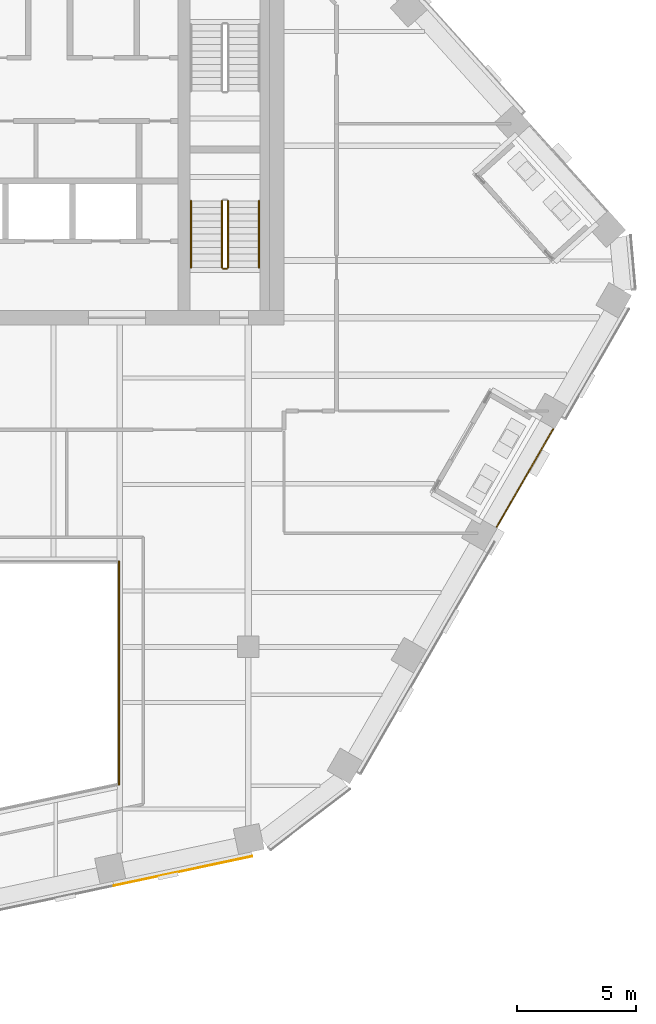
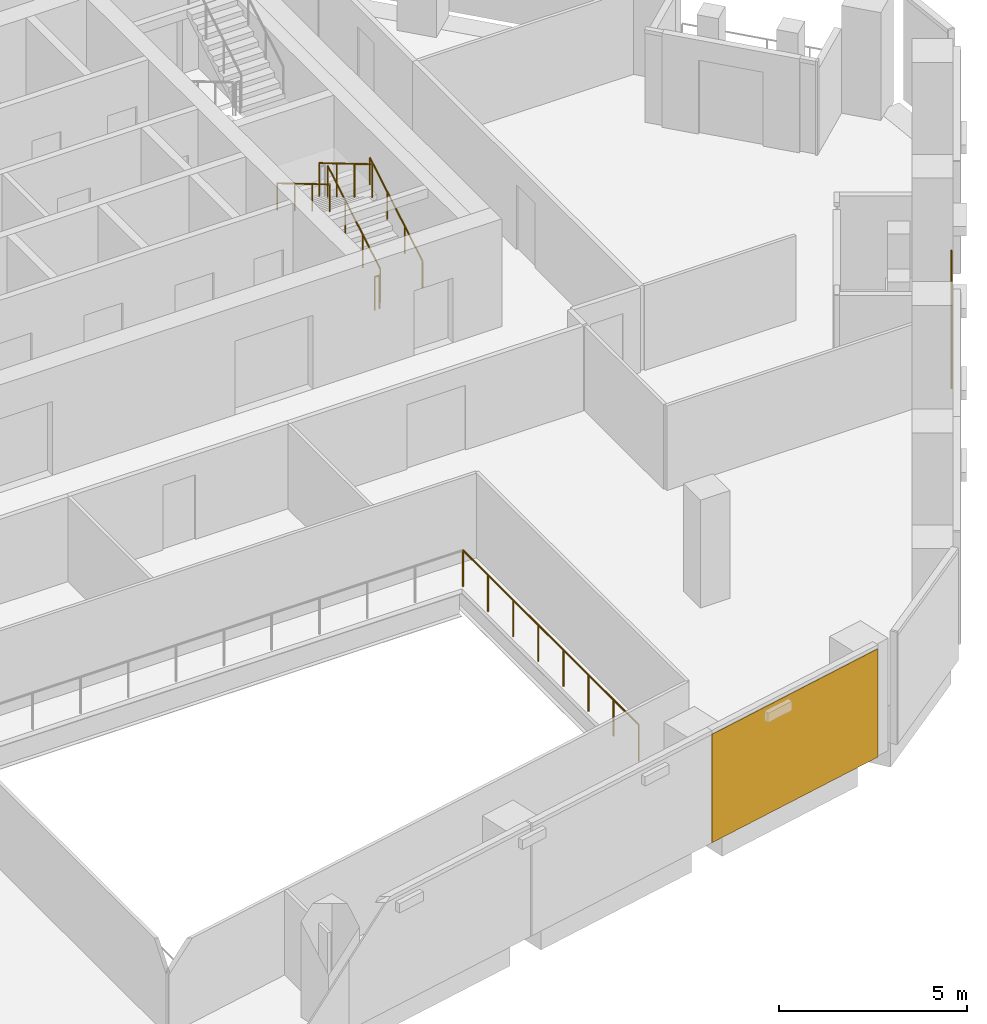
# One storey, part 22 of 25: 7 railings, 1 covering, 1 element without a shape of its own.
"""IFC4 building model written with IfcOpenShell, lengths in metres."""

from ifc_helpers import new_model, si_unit, direction, frame, origin, origin_2d, place, context, subcontext, project, spatial, rectangle, circle, extrude, material, layer, layer_set, type_object, element, aggregate, save


model = new_model("IFC4")

# Units and contexts
model_context = context("Model", 3, precision=1e-05, world=origin(), true_north=direction((0.0, 1.0)))
body_context = subcontext(model_context, "Body", "Model", "MODEL_VIEW")
ifc_project = project(units=[si_unit("LENGTHUNIT", "METRE"), si_unit("AREAUNIT", "SQUARE_METRE"), si_unit("VOLUMEUNIT", "CUBIC_METRE"), si_unit("PLANEANGLEUNIT", "RADIAN"), si_unit("MASSUNIT", "GRAM", prefix="KILO")], contexts=[model_context])

# Site, building, storey
site_placement = place(None, origin())
site = spatial("IfcSite", under=ifc_project, at=site_placement, CompositionType="ELEMENT")
building_placement = place(site_placement, origin())
building = spatial("IfcBuilding", under=site, at=building_placement, Name="Isthmus Gate Tower", CompositionType="ELEMENT")
storey_placement = place(building_placement, frame((0.0, 0.0, 249.14990234375)))
storey = spatial("IfcBuildingStorey", under=building, at=storey_placement, Name="L63", CompositionType="ELEMENT", Elevation=249.14990234375)

# Railing
ifc_material_1 = material(Name="Laminated toughened glass balustrade with steel rail", Category="steel")
railing_type_1 = type_object("IfcRailingType", Name="ATRIUM GUARD GLASS BALUSTRADE 1200", PredefinedType="GUARDRAIL", material=ifc_material_1)
railing_1_placement = place(storey_placement, frame((8.080078125, -9.919921875, 0.0)))
element("IfcRailing", 1, at=railing_1_placement, inside=storey, type_object=railing_type_1, Name="L63 atrium guard", PredefinedType="GUARDRAIL", context=body_context, shape_type="SweptSolid", body=[
    extrude(circle(Radius=0.02490234375, at=origin_2d()), frame((0.0, 0.0, 1.1748046875), z_axis=(0.0, -1.0, 0.0), x_axis=(1.0, 0.0, 0.0)), (0.0, 0.0, 1.0), 9.35498046875),
    extrude(circle(Radius=0.02490234375, at=origin_2d()), origin(), (0.0, 0.0, 1.0), 1.14990234375),
    extrude(circle(Radius=0.02490234375, at=origin_2d()), frame((0.0, -1.33642578125, 0.0)), (0.0, 0.0, 1.0), 1.14990234375),
    extrude(circle(Radius=0.02490234375, at=origin_2d()), frame((0.0, -2.6728515625, 0.0)), (0.0, 0.0, 1.0), 1.14990234375),
    extrude(circle(Radius=0.02490234375, at=origin_2d()), frame((0.0, -4.00927734375, 0.0)), (0.0, 0.0, 1.0), 1.14990234375),
    extrude(circle(Radius=0.02490234375, at=origin_2d()), frame((0.0, -5.345703125, 0.0)), (0.0, 0.0, 1.0), 1.14990234375),
    extrude(circle(Radius=0.02490234375, at=origin_2d()), frame((0.0, -6.68212890625, 0.0)), (0.0, 0.0, 1.0), 1.14990234375),
    extrude(circle(Radius=0.02490234375, at=origin_2d()), frame((0.0, -8.0185546875, 0.0)), (0.0, 0.0, 1.0), 1.14990234375),
    extrude(circle(Radius=0.02490234375, at=origin_2d()), frame((0.0, -9.35498046875, 0.0)), (0.0, 0.0, 1.0), 1.14990234375),
])

# Curtain wall, covering
ifc_material_2 = material(Name="Aluminium, pale champagne anodised", Category="aluminium")
ifc_layer_1 = layer(ifc_material_2, 0.199951171875)
ifc_layer_set_1 = layer_set([ifc_layer_1], Name="CW-1 UNITISED CURTAIN WALL 200 DEEP")
curtain_wall_type = type_object("IfcCurtainWallType", Name="CW-1 UNITISED CURTAIN WALL 200 DEEP", PredefinedType="NOTDEFINED", material=ifc_layer_set_1)
curtain_wall_placement = place(storey_placement, origin())
curtain_wall = element("IfcCurtainWall", 2, at=curtain_wall_placement, inside=storey, type_object=curtain_wall_type, Name="CW-1 S L63", PredefinedType="NOTDEFINED")
ifc_material_3 = material(Name="Aluminium composite panel, pale champagne anodised", Category="aluminium")
ifc_layer_2 = layer(ifc_material_3, 0.031982421875)
ifc_layer_set_2 = layer_set([ifc_layer_2], Name="CW-1 PALE METAL PANEL 32")
covering_type = type_object("IfcCoveringType", Name="CW-1 PALE METAL PANEL 32", PredefinedType="CLADDING", material=ifc_layer_set_2)
covering_placement = place(storey_placement, frame((10.7685546875, -22.899169921875, 0.0), z_axis=(0.0, 0.0, 1.0), x_axis=(0.978147600734, 0.207911690818, 0.0)))
covering = element("IfcCovering", 3, at=covering_placement, type_object=covering_type, Name="CW-1 pale metal panel", PredefinedType="CLADDING", context=body_context, shape_type="SweptSolid", body=[
    extrude(rectangle(XDim=5.94189453125, YDim=0.031982421875, at=origin_2d()), origin(), (0.0, 0.0, 1.0), 3.52001953125),
])
aggregate(curtain_wall, [covering])

# Railings
ifc_material_4 = material(Name="Toughened laminated glass with stainless steel posts", Category="steel")
railing_type_2 = type_object("IfcRailingType", Name="GUARD 1200 FRAMELESS GLASS", PredefinedType="GUARDRAIL", material=ifc_material_4)
railing_2_placement = place(storey_placement, frame((23.91748046875, -8.473876953125, 0.0)))
element("IfcRailing", 4, at=railing_2_placement, inside=storey, type_object=railing_type_2, Name="LOGGIA GUARD", PredefinedType="GUARDRAIL", context=body_context, shape_type="SweptSolid", body=[
    extrude(circle(Radius=0.02490234375, at=origin_2d()), frame((0.0, 0.0, 1.1748046875), z_axis=(0.499980071345, 0.866036909293, 0.0), x_axis=(-0.866036909293, 0.499980071345, 0.0)), (0.0, 0.0, 1.0), 4.730712890625),
    extrude(circle(Radius=0.02490234375, at=origin_2d()), origin(), (0.0, 0.0, 1.0), 1.14990234375),
    extrude(circle(Radius=0.02490234375, at=origin_2d()), frame((0.59130859375, 1.024169921875, 0.0)), (0.0, 0.0, 1.0), 1.14990234375),
    extrude(circle(Radius=0.02490234375, at=origin_2d()), frame((1.1826171875, 2.04833984375, 0.0)), (0.0, 0.0, 1.0), 1.14990234375),
    extrude(circle(Radius=0.02490234375, at=origin_2d()), frame((1.77392578125, 3.07275390625, 0.0)), (0.0, 0.0, 1.0), 1.14990234375),
    extrude(circle(Radius=0.02490234375, at=origin_2d()), frame((2.365234375, 4.096923828125, 0.0)), (0.0, 0.0, 1.0), 1.14990234375),
])
ifc_material_5 = material(Name="Stainless steel balustrade", Category="steel")
railing_type_3 = type_object("IfcRailingType", Name="STAIR GUARD 1100", PredefinedType="GUARDRAIL", material=ifc_material_5)
railing_3_placement = place(storey_placement, frame((12.64990234375, 2.39990234375, 0.166015625)))
element("IfcRailing", 5, at=railing_3_placement, inside=storey, type_object=railing_type_3, Name="L63 ST8 stair guard 1", PredefinedType="GUARDRAIL", context=body_context, shape_type="SweptSolid", body=[
    extrude(circle(Radius=0.02392578125, at=origin_2d()), frame((0.0, 0.0, 1.076171875), z_axis=(0.0, 0.860306154799, 0.50977771628), x_axis=(-1.0, 0.0, 0.0)), (0.0, 0.0, 1.0), 3.254638671875),
    extrude(circle(Radius=0.02099609375, at=origin_2d()), origin(), (0.0, 0.0, 1.0), 1.052001953125),
    extrude(circle(Radius=0.02099609375, at=origin_2d()), frame((0.0, 0.933349609375, 0.552978515625)), (0.0, 0.0, 1.0), 1.052001953125),
    extrude(circle(Radius=0.02099609375, at=origin_2d()), frame((0.0, 1.86669921875, 1.106201171875)), (0.0, 0.0, 1.0), 1.052001953125),
    extrude(circle(Radius=0.02099609375, at=origin_2d()), frame((0.0, 2.800048828125, 1.6591796875)), (0.0, 0.0, 1.0), 1.052001953125),
])
railing_4_placement = place(storey_placement, frame((12.39990234375, 5.199951171875, 1.990966796875)))
element("IfcRailing", 6, at=railing_4_placement, inside=storey, type_object=railing_type_3, Name="L63 ST8 stair guard 3", PredefinedType="GUARDRAIL", context=body_context, shape_type="SweptSolid", body=[
    extrude(circle(Radius=0.02392578125, at=origin_2d()), frame((0.0, 0.0, 1.076171875), z_axis=(0.0, -0.860306154799, 0.50977771628), x_axis=(1.0, 0.0, 0.0)), (0.0, 0.0, 1.0), 3.254638671875),
    extrude(circle(Radius=0.02099609375, at=origin_2d()), origin(), (0.0, 0.0, 1.0), 1.052001953125),
    extrude(circle(Radius=0.02099609375, at=origin_2d()), frame((0.0, -0.933349609375, 0.552978515625)), (0.0, 0.0, 1.0), 1.052001953125),
    extrude(circle(Radius=0.02099609375, at=origin_2d()), frame((0.0, -1.86669921875, 1.106201171875)), (0.0, 0.0, 1.0), 1.052001953125),
    extrude(circle(Radius=0.02099609375, at=origin_2d()), frame((0.0, -2.800048828125, 1.6591796875)), (0.0, 0.0, 1.0), 1.052001953125),
])
railing_5_placement = place(storey_placement, frame((12.60009765625, 2.35009765625, 0.0)))
element("IfcRailing", 7, at=railing_5_placement, inside=storey, type_object=railing_type_3, Name="L63 ST8 stair guard 4", PredefinedType="GUARDRAIL", context=body_context, shape_type="SweptSolid", body=[
    extrude(circle(Radius=0.02392578125, at=origin_2d()), frame((0.0, 0.0, 1.076171875), z_axis=(-1.0, 0.0, 0.0), x_axis=(0.0, -1.0, 0.0)), (0.0, 0.0, 1.0), 0.150146484375),
    extrude(circle(Radius=0.02099609375, at=origin_2d()), origin(), (0.0, 0.0, 1.0), 1.052001953125),
    extrude(circle(Radius=0.02099609375, at=origin_2d()), frame((-0.150146484375, 0.0, 0.0)), (0.0, 0.0, 1.0), 1.052001953125),
])
ifc_material_6 = material(Name="Stainless steel handrail", Category="steel")
railing_type_4 = type_object("IfcRailingType", Name="STAIR HANDRAIL 900", PredefinedType="HANDRAIL", material=ifc_material_6)
railing_6_placement = place(storey_placement, frame((13.949951171875, 2.39990234375, 0.166015625)))
element("IfcRailing", 8, at=railing_6_placement, inside=storey, type_object=railing_type_4, Name="L63 ST8 stair handrail 1", PredefinedType="HANDRAIL", context=body_context, shape_type="SweptSolid", body=[
    extrude(circle(Radius=0.02392578125, at=origin_2d()), frame((0.0, 0.0, 0.8759765625), z_axis=(0.0, 0.860306154799, 0.50977771628), x_axis=(-1.0, 0.0, 0.0)), (0.0, 0.0, 1.0), 3.254638671875),
    extrude(circle(Radius=0.02099609375, at=origin_2d()), origin(), (0.0, 0.0, 1.0), 0.851806640625),
    extrude(circle(Radius=0.02099609375, at=origin_2d()), frame((0.0, 0.933349609375, 0.552978515625)), (0.0, 0.0, 1.0), 0.851806640625),
    extrude(circle(Radius=0.02099609375, at=origin_2d()), frame((0.0, 1.86669921875, 1.106201171875)), (0.0, 0.0, 1.0), 0.851806640625),
    extrude(circle(Radius=0.02099609375, at=origin_2d()), frame((0.0, 2.800048828125, 1.6591796875)), (0.0, 0.0, 1.0), 0.851806640625),
])
railing_7_placement = place(storey_placement, frame((11.10009765625, 5.199951171875, 1.990966796875)))
element("IfcRailing", 9, at=railing_7_placement, inside=storey, type_object=railing_type_4, Name="L63 ST8 stair handrail 2", PredefinedType="HANDRAIL", context=body_context, shape_type="SweptSolid", body=[
    extrude(circle(Radius=0.02392578125, at=origin_2d()), frame((0.0, 0.0, 0.8759765625), z_axis=(0.0, -0.860306154799, 0.50977771628), x_axis=(1.0, 0.0, 0.0)), (0.0, 0.0, 1.0), 3.254638671875),
    extrude(circle(Radius=0.02099609375, at=origin_2d()), origin(), (0.0, 0.0, 1.0), 0.851806640625),
    extrude(circle(Radius=0.02099609375, at=origin_2d()), frame((0.0, -0.933349609375, 0.552978515625)), (0.0, 0.0, 1.0), 0.851806640625),
    extrude(circle(Radius=0.02099609375, at=origin_2d()), frame((0.0, -1.86669921875, 1.106201171875)), (0.0, 0.0, 1.0), 0.851806640625),
    extrude(circle(Radius=0.02099609375, at=origin_2d()), frame((0.0, -2.800048828125, 1.6591796875)), (0.0, 0.0, 1.0), 0.851806640625),
])

save(model, "model.ifc")
